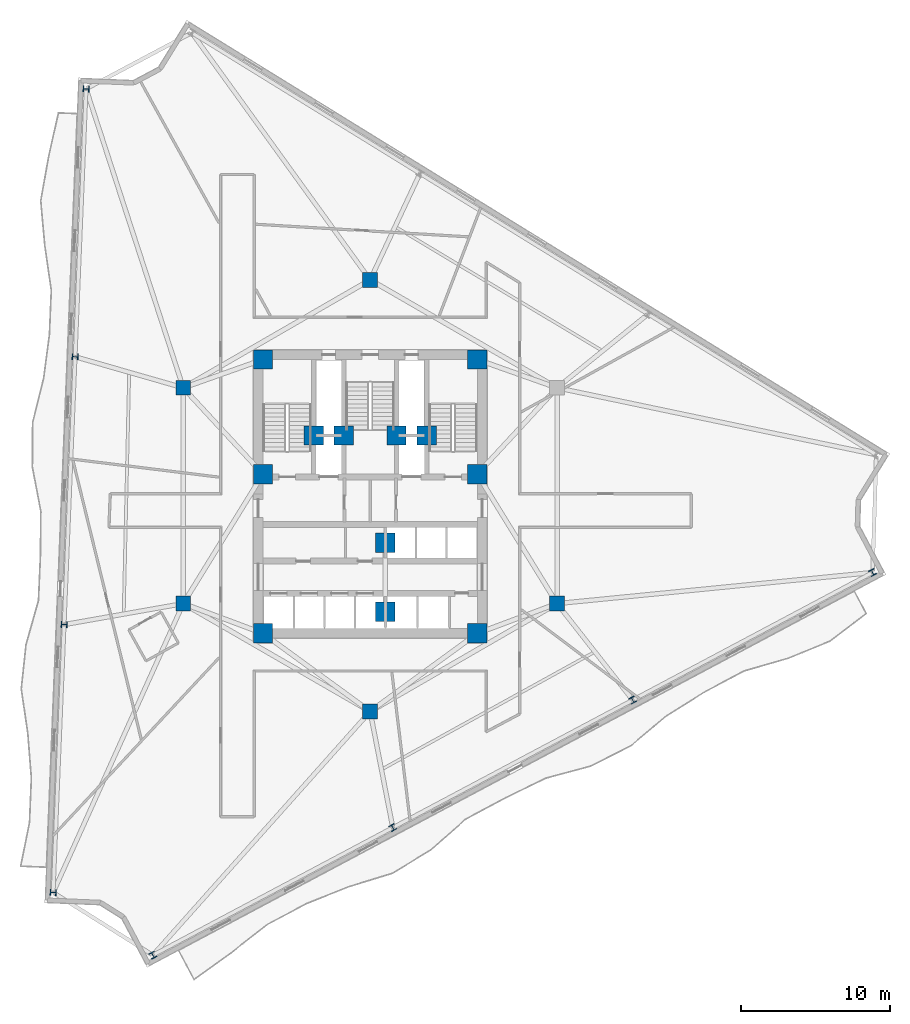
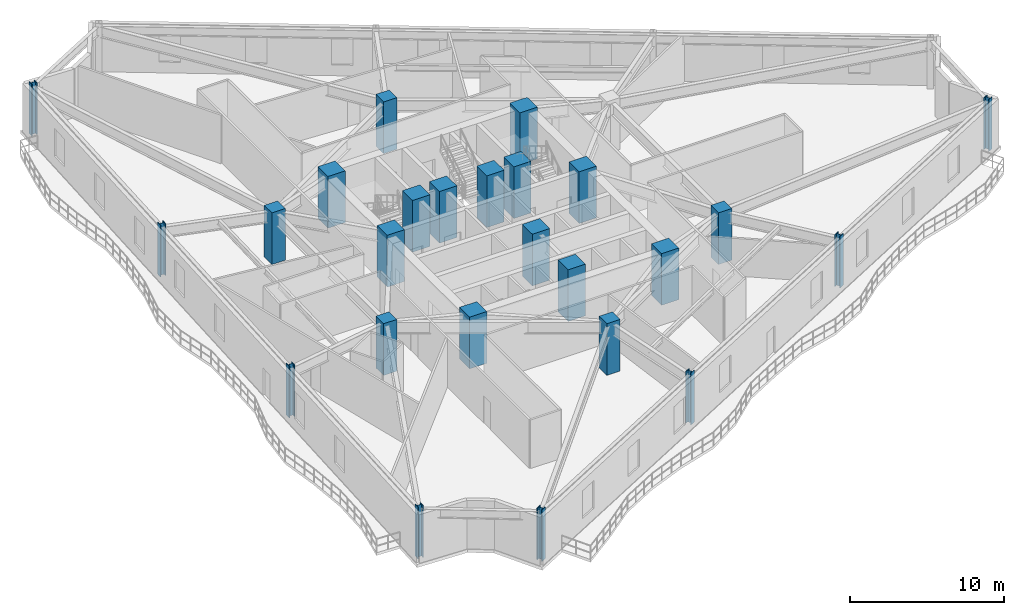
# One storey, part 1 of 11: 25 columns.
"""IFC4 building model written with IfcOpenShell, lengths in metres."""

from ifc_helpers import new_model, si_unit, direction, frame, origin, origin_2d, place, context, subcontext, project, spatial, rectangle, i_section, extrude, material, material_profile, profile_set, type_object, element, save


model = new_model("IFC4")

# Units and contexts
model_context = context("Model", 3, precision=1e-05, world=origin(), true_north=direction((0.0, 1.0)))
body_context = subcontext(model_context, "Body", "Model", "MODEL_VIEW")
ifc_project = project(units=[si_unit("LENGTHUNIT", "METRE"), si_unit("AREAUNIT", "SQUARE_METRE"), si_unit("VOLUMEUNIT", "CUBIC_METRE"), si_unit("PLANEANGLEUNIT", "RADIAN"), si_unit("MASSUNIT", "GRAM", prefix="KILO")], contexts=[model_context])

# Site, building, storey
site_placement = place(None, origin())
site = spatial("IfcSite", under=ifc_project, at=site_placement, CompositionType="ELEMENT")
building_placement = place(site_placement, origin())
building = spatial("IfcBuilding", under=site, at=building_placement, Name="Apsidion Concourse Tower", CompositionType="ELEMENT")
storey_placement = place(building_placement, frame((0.0, 0.0, 169.60009765625)))
storey = spatial("IfcBuildingStorey", under=building, at=storey_placement, Name="L39", CompositionType="ELEMENT", Elevation=169.60009765625)

# Columns
ifc_material_1 = material(Name="Concrete C50/60", Category="concrete")
ifc_material_profile_1 = material_profile(ifc_material_1, rectangle(XDim=1.0, YDim=1.0, at=origin_2d()), Name="RC 1000x1000")
ifc_profile_set_1 = profile_set([ifc_material_profile_1], Name="Concrete C50/60")
column_type_1 = type_object("IfcColumnType", Name="COL-RC-1000", PredefinedType="COLUMN", material=ifc_profile_set_1)
for number, where, z_axis, x_axis, name in (
    (1, (-12.56005859375, -7.25, 0.0), (0.0, 0.0, 1.0), (1.0, 0.0, 0.0), "L39 Interior Spine Column IC1"),
    (2, (12.56005859375, -7.25, 0.0), (0.0, 0.0, 1.0), (1.0, 0.0, 0.0), "L39 Interior Spine Column IC2"),
    (3, (0.0, 14.5, 0.0), (0.0, 0.0, 1.0), (1.0, 0.0, 0.0), "L39 Interior Spine Column IC4"),
    (4, (-12.56005859375, 7.25, 0.0), (0.0, 0.0, 1.0), (1.0, 0.0, 0.0), "L39 Interior Spine Column IC5"),
    (5, (0.0, -14.5, 0.0), (0.0, 0.0, 1.0), (1.0, 0.0, 0.0), "L39 Interior Spine Column IC6"),
):
    element("IfcColumn", number, at=place(storey_placement, frame(where, z_axis=z_axis, x_axis=x_axis)), inside=storey, type_object=column_type_1, Name=name, PredefinedType="COLUMN", context=body_context, shape_type="SweptSolid", body=[
        extrude(rectangle(XDim=1.0, YDim=1.0, at=origin_2d()), origin(), (0.0, 0.0, 1.0), 4.099853515625),
    ])
ifc_material_profile_2 = material_profile(ifc_material_1, rectangle(XDim=1.300048828125, YDim=1.300048828125, at=origin_2d()), Name="RC 1300x1300")
ifc_profile_set_2 = profile_set([ifc_material_profile_2], Name="Concrete C50/60")
column_type_2 = type_object("IfcColumnType", Name="COL-RC-1300", PredefinedType="COLUMN", material=ifc_profile_set_2)
for number, where, z_axis, x_axis, name in (
    (6, (-7.199951171875, -9.25, 0.0), (0.0, 0.0, 1.0), (1.0, 0.0, 0.0), "L39 Core Super-Column SC1"),
    (7, (7.199951171875, -9.25, 0.0), (0.0, 0.0, 1.0), (1.0, 0.0, 0.0), "L39 Core Super-Column SC2"),
    (8, (7.199951171875, 1.449951171875, 0.0), (0.0, 0.0, 1.0), (1.0, 0.0, 0.0), "L39 Core Super-Column SC3"),
    (9, (7.199951171875, 9.14990234375, 0.0), (0.0, 0.0, 1.0), (1.0, 0.0, 0.0), "L39 Core Super-Column SC4"),
    (10, (-7.199951171875, 9.14990234375, 0.0), (0.0, 0.0, 1.0), (1.0, 0.0, 0.0), "L39 Core Super-Column SC5"),
    (11, (-7.199951171875, 1.449951171875, 0.0), (0.0, 0.0, 1.0), (1.0, 0.0, 0.0), "L39 Core Super-Column SC6"),
    (12, (-3.800048828125, 4.050048828125, 0.0), (0.0, 0.0, 1.0), (1.0, 0.0, 0.0), "L39 Core Super-Column CC1"),
    (13, (3.800048828125, 4.050048828125, 0.0), (0.0, 0.0, 1.0), (1.0, 0.0, 0.0), "L39 Core Super-Column CC2"),
    (14, (-1.77490234375, 4.050048828125, 0.0), (0.0, 0.0, 1.0), (1.0, 0.0, 0.0), "L39 Core Super-Column CC3"),
    (15, (1.77490234375, 4.050048828125, 0.0), (0.0, 0.0, 1.0), (1.0, 0.0, 0.0), "L39 Core Super-Column CC4"),
    (16, (1.02490234375, -3.14990234375, 0.0), (0.0, 0.0, 1.0), (1.0, 0.0, 0.0), "L39 Core Super-Column CC5"),
    (17, (1.02490234375, -7.800048828125, 0.0), (0.0, 0.0, 1.0), (1.0, 0.0, 0.0), "L39 Core Super-Column CC6"),
):
    element("IfcColumn", number, at=place(storey_placement, frame(where, z_axis=z_axis, x_axis=x_axis)), inside=storey, type_object=column_type_2, Name=name, PredefinedType="COLUMN", context=body_context, shape_type="SweptSolid", body=[
        extrude(rectangle(XDim=1.300048828125, YDim=1.300048828125, at=origin_2d()), origin(), (0.0, 0.0, 1.0), 4.099853515625),
    ])
ifc_material_2 = material(Name="Structural steel ASTM A992 Grade 50", Category="steel")
ifc_material_profile_3 = material_profile(ifc_material_2, i_section(OverallWidth=0.406005859375, OverallDepth=0.4169921875, WebThickness=0.02978515625, FlangeThickness=0.048095703125, at=origin_2d()), Name="W14X257")
ifc_profile_set_3 = profile_set([ifc_material_profile_3], Name="Structural steel ASTM A992 Grade 50")
column_type_3 = type_object("IfcColumnType", Name="COL-W14-257", PredefinedType="COLUMN", material=ifc_profile_set_3)
for number, where, z_axis, x_axis, name in (
    (18, (-19.086181640625, 27.331298828125, 0.0), (0.0, 0.0, 1.0), (0.041003738744, 0.999158993058, 0.0), "L39 Rotated Perimeter Column PC01"),
    (19, (-19.82421875, 9.3349609375, 0.0), (0.0, 0.0, 1.0), (0.041003738744, 0.999158993058, 0.0), "L39 Rotated Perimeter Column PC02"),
    (20, (-20.56201171875, -8.661376953125, 0.0), (0.0, 0.0, 1.0), (0.041003738744, 0.999158993058, 0.0), "L39 Rotated Perimeter Column PC03"),
    (21, (-21.300048828125, -26.65771484375, 0.0), (0.0, 0.0, 1.0), (0.041003738744, 0.999158993058, 0.0), "L39 Rotated Perimeter Column PC04"),
    (22, (-14.599609375, -30.872802734375, 0.0), (0.0, 0.0, 1.0), (0.882947592859, 0.469471562786, 0.0), "L39 Rotated Perimeter Column PC05"),
    (23, (1.519775390625, -22.302001953125, 0.0), (0.0, 0.0, 1.0), (0.882947592859, 0.469471562786, 0.0), "L39 Rotated Perimeter Column PC06"),
    (24, (17.639404296875, -13.731201171875, 0.0), (0.0, 0.0, 1.0), (0.882947592859, 0.469471562786, 0.0), "L39 Rotated Perimeter Column PC07"),
    (25, (33.7587890625, -5.160400390625, 0.0), (0.0, 0.0, 1.0), (0.882947592859, 0.469471562786, 0.0), "L39 Rotated Perimeter Column PC08"),
):
    element("IfcColumn", number, at=place(storey_placement, frame(where, z_axis=z_axis, x_axis=x_axis)), inside=storey, type_object=column_type_3, Name=name, PredefinedType="COLUMN", context=body_context, shape_type="SweptSolid", body=[
        extrude(i_section(OverallWidth=0.406005859375, OverallDepth=0.4169921875, WebThickness=0.02978515625, FlangeThickness=0.048095703125, at=origin_2d()), origin(), (0.0, 0.0, 1.0), 4.099853515625),
    ])

save(model, "model.ifc")
